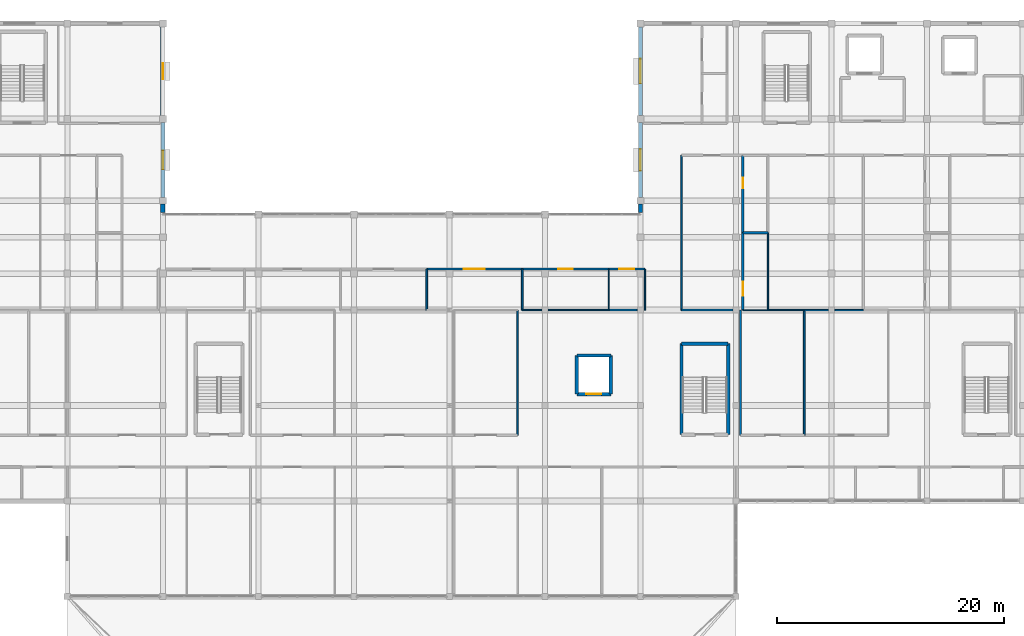
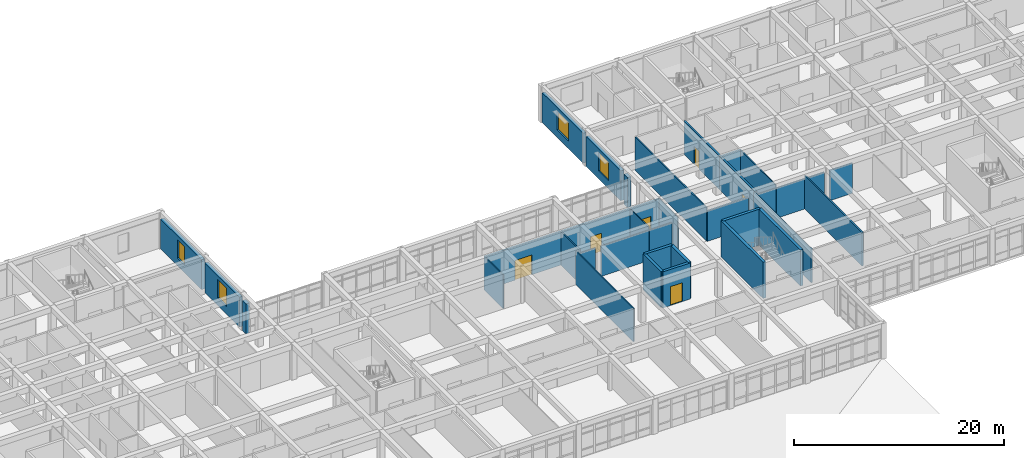
# One storey, part 52 of 77: 36 walls, 6 doors, 4 windows, 10 openings.
"""IFC4 building model written with IfcOpenShell, lengths in metres."""

from ifc_helpers import new_model, si_unit, direction, frame, frame_2d, origin, place, context, subcontext, project, spatial, rectangle, extrude, material, layer, layer_set, type_object, element, fill, save


model = new_model("IFC4")

# Units and contexts
model_context = context("Model", 3, precision=1e-05, world=origin(), true_north=direction((0.0, 1.0)))
body_context = subcontext(model_context, "Body", "Model", "MODEL_VIEW")
ifc_project = project(units=[si_unit("LENGTHUNIT", "METRE"), si_unit("AREAUNIT", "SQUARE_METRE"), si_unit("VOLUMEUNIT", "CUBIC_METRE"), si_unit("PLANEANGLEUNIT", "RADIAN"), si_unit("MASSUNIT", "GRAM", prefix="KILO")], contexts=[model_context])

# Site, building, storey
site_placement = place(None, origin())
site = spatial("IfcSite", under=ifc_project, at=site_placement, CompositionType="ELEMENT")
building_placement = place(site_placement, origin())
building = spatial("IfcBuilding", under=site, at=building_placement, Name="Varncliffe General Hospital", CompositionType="ELEMENT")
storey_placement = place(building_placement, frame((0.0, 0.0, 16.199951171875)))
storey = spatial("IfcBuildingStorey", under=building, at=storey_placement, Name="L03", CompositionType="ELEMENT", Elevation=16.199951171875)

# Wall, opening, window
ifc_material_1 = material(Name="Precast concrete C40/50 with insulated cream lime-cement stucco", Category="concrete")
ifc_layer_1 = layer(ifc_material_1, 0.3798828125)
ifc_layer_set_1 = layer_set([ifc_layer_1], Name="Precast concrete C40/50 with insulated cream lime-cement stucco")
wall_type_1 = type_object("IfcWallType", Name="Exterior Insulated Stucco Wall EW26 (380mm)", PredefinedType="SOLIDWALL", material=ifc_layer_set_1)
wall_1_placement = place(storey_placement, frame((67.199951171875, 124.501953125, 0.0), z_axis=(0.0, 0.0, 1.0), x_axis=(0.0, -1.0, 0.0)))
wall_1 = element("IfcWall", 1, at=wall_1_placement, inside=storey, type_object=wall_type_1, Name="L03 Exterior Stucco Wall EW26-244", PredefinedType="SOLIDWALL", context=body_context, shape_type="SweptSolid", body=[
    extrude(rectangle(XDim=7.803955078125, YDim=0.3798828125, at=frame_2d((3.90185546875, 0.0))), origin(), (0.0, 0.0, 1.0), 3.47998046875),
])
opening_1_placement = place(wall_1_placement, frame((3.201904296875, 0.0, 0.89990234375)))
opening_1 = element("IfcOpeningElement", 2, at=opening_1_placement, cuts=wall_1, Name="Opening WN11", PredefinedType="OPENING", context=body_context, shape_type="SweptSolid", body=[
    extrude(rectangle(XDim=1.39990234375, YDim=2.14990234375, at=frame_2d((0.699951171875, 1.074951171875))), frame((0.0, 0.199951171875, 0.0), z_axis=(0.0, -1.0, 0.0), x_axis=(1.0, 0.0, 0.0)), (0.0, 0.0, 1.0), 0.39990234375),
])
ifc_material_2 = material(Name="Triple low-E argon insulated vision glazing", Category="glass")
window_type_1 = type_object("IfcWindowType", Name="Triple-Glazed Hospital Window WN11 (1400x2150)", PartitioningType="SINGLE_PANEL", PredefinedType="WINDOW", material=ifc_material_2)
window_1_placement = place(opening_1_placement, origin())
window_1 = element("IfcWindow", 3, at=window_1_placement, inside=storey, type_object=window_type_1, Name="L03 Hospital Window WN11-166", OverallHeight=2.14990234375, OverallWidth=1.39990234375, PartitioningType="SINGLE_PANEL", PredefinedType="WINDOW", context=body_context, shape_type="SweptSolid", body=[
    extrude(rectangle(XDim=1.39990234375, YDim=2.14990234375, at=frame_2d((0.699951171875, 1.074951171875))), frame((0.0, 0.030029296875, 0.0), z_axis=(0.0, -1.0, 0.0), x_axis=(1.0, 0.0, 0.0)), (0.0, 0.0, 1.0), 0.06005859375),
])
fill(opening_1, window_1)

# Wall
wall_2_placement = place(storey_placement, frame((109.199951171875, 108.195068359375, 0.0), z_axis=(0.0, 0.0, 1.0), x_axis=(0.0, 1.0, 0.0)))
element("IfcWall", 4, at=wall_2_placement, inside=storey, type_object=wall_type_1, Name="L03 Exterior Stucco Wall EW26-247", PredefinedType="SOLIDWALL", context=body_context, shape_type="SweptSolid", body=[
    extrude(rectangle(XDim=0.70703125, YDim=0.3798828125, at=frame_2d((0.353515625, 0.0))), origin(), (0.0, 0.0, 1.0), 3.47998046875),
])

# Wall, opening, window
ifc_layer_2 = layer(ifc_material_1, 0.330078125)
ifc_layer_set_2 = layer_set([ifc_layer_2], Name="Precast concrete C40/50 with insulated cream lime-cement stucco")
wall_type_2 = type_object("IfcWallType", Name="Exterior Insulated Stucco Wall EW33 (330mm)", PredefinedType="SOLIDWALL", material=ifc_layer_set_2)
wall_3_placement = place(storey_placement, frame((109.199951171875, 116.697998046875, 0.0), z_axis=(0.0, 0.0, 1.0), x_axis=(0.0, 1.0, 0.0)))
wall_3 = element("IfcWall", 5, at=wall_3_placement, inside=storey, type_object=wall_type_2, Name="L03 Exterior Stucco Wall EW33-249", PredefinedType="SOLIDWALL", context=body_context, shape_type="SweptSolid", body=[
    extrude(rectangle(XDim=7.803955078125, YDim=0.330078125, at=frame_2d((3.90185546875, 0.0))), origin(), (0.0, 0.0, 1.0), 3.47998046875),
])
opening_2_placement = place(wall_3_placement, frame((2.826904296875, 0.0, 0.89990234375)))
opening_2 = element("IfcOpeningElement", 6, at=opening_2_placement, cuts=wall_3, Name="Opening WN57", PredefinedType="OPENING", context=body_context, shape_type="SweptSolid", body=[
    extrude(rectangle(XDim=2.14990234375, YDim=2.14990234375, at=frame_2d((1.074951171875, 1.074951171875))), frame((0.0, 0.175048828125, 0.0), z_axis=(0.0, -1.0, 0.0), x_axis=(1.0, 0.0, 0.0)), (0.0, 0.0, 1.0), 0.35009765625),
])
window_type_2 = type_object("IfcWindowType", Name="Triple-Glazed Hospital Window WN57 (2150x2150)", PartitioningType="DOUBLE_PANEL_VERTICAL", PredefinedType="WINDOW", material=ifc_material_2)
window_2_placement = place(opening_2_placement, origin())
window_2 = element("IfcWindow", 7, at=window_2_placement, inside=storey, type_object=window_type_2, Name="L03 Hospital Window WN57-169", OverallHeight=2.14990234375, OverallWidth=2.14990234375, PartitioningType="DOUBLE_PANEL_VERTICAL", PredefinedType="WINDOW", context=body_context, shape_type="SweptSolid", body=[
    extrude(rectangle(XDim=2.14990234375, YDim=2.14990234375, at=frame_2d((1.074951171875, 1.074951171875))), frame((0.0, 0.030029296875, 0.0), z_axis=(0.0, -1.0, 0.0), x_axis=(1.0, 0.0, 0.0)), (0.0, 0.0, 1.0), 0.06005859375),
])
fill(opening_2, window_2)

ifc_layer_3 = layer(ifc_material_1, 0.35009765625)
ifc_layer_set_3 = layer_set([ifc_layer_3], Name="Precast concrete C40/50 with insulated cream lime-cement stucco")
wall_type_3 = type_object("IfcWallType", Name="Exterior Insulated Stucco Wall EW37 (350mm)", PredefinedType="SOLIDWALL", material=ifc_layer_set_3)
wall_4_placement = place(storey_placement, frame((67.199951171875, 116.10205078125, 0.0), z_axis=(0.0, 0.0, 1.0), x_axis=(0.0, -1.0, 0.0)))
wall_4 = element("IfcWall", 8, at=wall_4_placement, inside=storey, type_object=wall_type_3, Name="L03 Exterior Stucco Wall EW37-245", PredefinedType="SOLIDWALL", context=body_context, shape_type="SweptSolid", body=[
    extrude(rectangle(XDim=6.60400390625, YDim=0.35009765625, at=frame_2d((3.302001953125, 0.0))), origin(), (0.0, 0.0, 1.0), 3.47998046875),
])
opening_3_placement = place(wall_4_placement, frame((2.47705078125, 0.0, 0.89990234375)))
opening_3 = element("IfcOpeningElement", 9, at=opening_3_placement, cuts=wall_4, Name="Opening WN42", PredefinedType="OPENING", context=body_context, shape_type="SweptSolid", body=[
    extrude(rectangle(XDim=1.64990234375, YDim=2.14990234375, at=frame_2d((0.824951171875, 1.074951171875))), frame((0.0, 0.18505859375, 0.0), z_axis=(0.0, -1.0, 0.0), x_axis=(1.0, 0.0, 0.0)), (0.0, 0.0, 1.0), 0.3701171875),
])
window_type_3 = type_object("IfcWindowType", Name="Triple-Glazed Hospital Window WN42 (1650x2150)", PartitioningType="DOUBLE_PANEL_VERTICAL", PredefinedType="WINDOW", material=ifc_material_2)
window_3_placement = place(opening_3_placement, origin())
window_3 = element("IfcWindow", 10, at=window_3_placement, inside=storey, type_object=window_type_3, Name="L03 Hospital Window WN42-167", OverallHeight=2.14990234375, OverallWidth=1.64990234375, PartitioningType="DOUBLE_PANEL_VERTICAL", PredefinedType="WINDOW", context=body_context, shape_type="SweptSolid", body=[
    extrude(rectangle(XDim=1.64990234375, YDim=2.14990234375, at=frame_2d((0.824951171875, 1.074951171875))), frame((0.0, 0.030029296875, 0.0), z_axis=(0.0, -1.0, 0.0), x_axis=(1.0, 0.0, 0.0)), (0.0, 0.0, 1.0), 0.06005859375),
])
fill(opening_3, window_3)

wall_5_placement = place(storey_placement, frame((109.199951171875, 109.498046875, 0.0), z_axis=(0.0, 0.0, 1.0), x_axis=(0.0, 1.0, 0.0)))
wall_5 = element("IfcWall", 11, at=wall_5_placement, inside=storey, type_object=wall_type_3, Name="L03 Exterior Stucco Wall EW37-248", PredefinedType="SOLIDWALL", context=body_context, shape_type="SweptSolid", body=[
    extrude(rectangle(XDim=6.60400390625, YDim=0.35009765625, at=frame_2d((3.302001953125, 0.0))), origin(), (0.0, 0.0, 1.0), 3.47998046875),
])
opening_4_placement = place(wall_5_placement, frame((2.35205078125, 0.0, 0.89990234375)))
opening_4 = element("IfcOpeningElement", 12, at=opening_4_placement, cuts=wall_5, Name="Opening WN15", PredefinedType="OPENING", context=body_context, shape_type="SweptSolid", body=[
    extrude(rectangle(XDim=1.89990234375, YDim=2.14990234375, at=frame_2d((0.949951171875, 1.074951171875))), frame((0.0, 0.18505859375, 0.0), z_axis=(0.0, -1.0, 0.0), x_axis=(1.0, 0.0, 0.0)), (0.0, 0.0, 1.0), 0.3701171875),
])
window_type_4 = type_object("IfcWindowType", Name="Triple-Glazed Hospital Window WN15 (1900x2150)", PartitioningType="DOUBLE_PANEL_VERTICAL", PredefinedType="WINDOW", material=ifc_material_2)
window_4_placement = place(opening_4_placement, origin())
window_4 = element("IfcWindow", 13, at=window_4_placement, inside=storey, type_object=window_type_4, Name="L03 Hospital Window WN15-168", OverallHeight=2.14990234375, OverallWidth=1.89990234375, PartitioningType="DOUBLE_PANEL_VERTICAL", PredefinedType="WINDOW", context=body_context, shape_type="SweptSolid", body=[
    extrude(rectangle(XDim=1.89990234375, YDim=2.14990234375, at=frame_2d((0.949951171875, 1.074951171875))), frame((0.0, 0.030029296875, 0.0), z_axis=(0.0, -1.0, 0.0), x_axis=(1.0, 0.0, 0.0)), (0.0, 0.0, 1.0), 0.06005859375),
])
fill(opening_4, window_4)

# Walls
ifc_layer_4 = layer(ifc_material_1, 0.39990234375)
ifc_layer_set_4 = layer_set([ifc_layer_4], Name="Precast concrete C40/50 with insulated cream lime-cement stucco")
wall_type_4 = type_object("IfcWallType", Name="Exterior Insulated Stucco Wall EW47 (400mm)", PredefinedType="SOLIDWALL", material=ifc_layer_set_4)
wall_6_placement = place(storey_placement, frame((67.199951171875, 108.902099609375, 0.0), z_axis=(0.0, 0.0, 1.0), x_axis=(0.0, -1.0, 0.0)))
element("IfcWall", 14, at=wall_6_placement, inside=storey, type_object=wall_type_4, Name="L03 Exterior Stucco Wall EW47-246", PredefinedType="SOLIDWALL", context=body_context, shape_type="SweptSolid", body=[
    extrude(rectangle(XDim=0.70703125, YDim=0.39990234375, at=frame_2d((0.353515625, 0.0))), origin(), (0.0, 0.0, 1.0), 3.47998046875),
])
ifc_material_3 = material(Name="Acoustic clinical gypsum stud partition assembly", Category="gypsum")
ifc_layer_5 = layer(ifc_material_3, 0.1298828125)
ifc_layer_set_5 = layer_set([ifc_layer_5], Name="Acoustic clinical gypsum stud partition assembly")
wall_type_5 = type_object("IfcWallType", Name="Interior Partitioning IW11 (130mm)", PredefinedType="PARTITIONING", material=ifc_layer_set_5)
wall_7_placement = place(storey_placement, frame((126.2900390625, 99.60009765625, 0.0), z_axis=(0.0, 0.0, 1.0), x_axis=(1.0, 0.0, 0.0)))
element("IfcWall", 15, at=wall_7_placement, inside=storey, type_object=wall_type_5, Name="L03 Interior Partition Wall IW11-1433", PredefinedType="PARTITIONING", context=body_context, shape_type="SweptSolid", body=[
    extrude(rectangle(XDim=2.510009765625, YDim=0.1298828125, at=frame_2d((1.2548828125, 0.0))), origin(), (0.0, 0.0, 1.0), 3.53515625),
])
wall_8_placement = place(storey_placement, frame((123.60009765625, 99.60009765625, 0.0), z_axis=(0.0, 0.0, 1.0), x_axis=(1.0, 0.0, 0.0)))
element("IfcWall", 16, at=wall_8_placement, inside=storey, type_object=wall_type_5, Name="L03 Interior Partition Wall IW11-1434", PredefinedType="PARTITIONING", context=body_context, shape_type="SweptSolid", body=[
    extrude(rectangle(XDim=2.10986328125, YDim=0.1298828125, at=frame_2d((1.054931640625, 0.0))), origin(), (0.0, 0.0, 1.0), 3.53515625),
])
wall_9_placement = place(storey_placement, frame((98.39990234375, 88.60009765625, 0.0), z_axis=(0.0, 0.0, 1.0), x_axis=(0.0, 1.0, 0.0)))
element("IfcWall", 17, at=wall_9_placement, inside=storey, type_object=wall_type_5, Name="L03 Interior Partition Wall IW11-1588", PredefinedType="PARTITIONING", context=body_context, shape_type="SweptSolid", body=[
    extrude(rectangle(XDim=11.0, YDim=0.1298828125, at=frame_2d((5.5, 0.0))), origin(), (0.0, 0.0, 1.0), 3.89013671875),
])
wall_10_placement = place(storey_placement, frame((112.800048828125, 99.60009765625, 0.0), z_axis=(0.0, 0.0, 1.0), x_axis=(0.0, 1.0, 0.0)))
element("IfcWall", 18, at=wall_10_placement, inside=storey, type_object=wall_type_5, Name="L03 Interior Partition Wall IW11-1593", PredefinedType="PARTITIONING", context=body_context, shape_type="SweptSolid", body=[
    extrude(rectangle(XDim=13.599853515625, YDim=0.1298828125, at=frame_2d((6.7998046875, 0.0))), origin(), (0.0, 0.0, 1.0), 3.89013671875),
])
ifc_layer_6 = layer(ifc_material_3, 0.169921875)
ifc_layer_set_6 = layer_set([ifc_layer_6], Name="Acoustic clinical gypsum stud partition assembly")
wall_type_6 = type_object("IfcWallType", Name="Interior Partitioning IW20 (170mm)", PredefinedType="PARTITIONING", material=ifc_layer_set_6)
wall_11_placement = place(storey_placement, frame((112.800048828125, 99.60009765625, 0.0), z_axis=(0.0, 0.0, 1.0), x_axis=(1.0, 0.0, 0.0)))
element("IfcWall", 19, at=wall_11_placement, inside=storey, type_object=wall_type_6, Name="L03 Interior Partition Wall IW20-1430", PredefinedType="PARTITIONING", context=body_context, shape_type="SweptSolid", body=[
    extrude(rectangle(XDim=4.510009765625, YDim=0.169921875, at=frame_2d((2.2548828125, 0.0))), origin(), (0.0, 0.0, 1.0), 3.53515625),
])
ifc_layer_7 = layer(ifc_material_3, 0.14990234375)
ifc_layer_set_7 = layer_set([ifc_layer_7], Name="Acoustic clinical gypsum stud partition assembly")
wall_type_7 = type_object("IfcWallType", Name="Interior Partitioning IW35 (150mm)", PredefinedType="PARTITIONING", material=ifc_layer_set_7)
wall_12_placement = place(storey_placement, frame((106.39990234375, 99.60009765625, 0.0), z_axis=(0.0, 0.0, 1.0), x_axis=(1.0, 0.0, 0.0)))
element("IfcWall", 20, at=wall_12_placement, inside=storey, type_object=wall_type_7, Name="L03 Interior Partition Wall IW35-1429", PredefinedType="PARTITIONING", context=body_context, shape_type="SweptSolid", body=[
    extrude(rectangle(XDim=2.510009765625, YDim=0.14990234375, at=frame_2d((1.2548828125, 0.0))), origin(), (0.0, 0.0, 1.0), 3.53515625),
])
for number, where, z_axis, x_axis, name in (
    (21, (90.39990234375, 99.60009765625, 0.0), (0.0, 0.0, 1.0), (0.0, 1.0, 0.0), "L03 Interior Partition Wall IW35-1584"),
    (22, (98.800048828125, 99.60009765625, 0.0), (0.0, 0.0, 1.0), (0.0, 1.0, 0.0), "L03 Interior Partition Wall IW35-1589"),
):
    element("IfcWall", number, at=place(storey_placement, frame(where, z_axis=z_axis, x_axis=x_axis)), inside=storey, type_object=wall_type_7, Name=name, PredefinedType="PARTITIONING", context=body_context, shape_type="SweptSolid", body=[
        extrude(rectangle(XDim=3.599853515625, YDim=0.14990234375, at=frame_2d((1.7998046875, 0.0))), origin(), (0.0, 0.0, 1.0), 3.89013671875),
    ])
for number, where, z_axis, x_axis, name in (
    (23, (118.0, 88.60009765625, 0.0), (0.0, 0.0, 1.0), (0.0, 1.0, 0.0), "L03 Interior Partition Wall IW35-1599"),
    (24, (123.60009765625, 88.60009765625, 0.0), (0.0, 0.0, 1.0), (0.0, 1.0, 0.0), "L03 Interior Partition Wall IW35-1604"),
):
    element("IfcWall", number, at=place(storey_placement, frame(where, z_axis=z_axis, x_axis=x_axis)), inside=storey, type_object=wall_type_7, Name=name, PredefinedType="PARTITIONING", context=body_context, shape_type="SweptSolid", body=[
        extrude(rectangle(XDim=11.0, YDim=0.14990234375, at=frame_2d((5.5, 0.0))), origin(), (0.0, 0.0, 1.0), 3.89013671875),
    ])
ifc_layer_8 = layer(ifc_material_3, 0.090087890625)
ifc_layer_set_8 = layer_set([ifc_layer_8], Name="Acoustic clinical gypsum stud partition assembly")
wall_type_8 = type_object("IfcWallType", Name="Interior Partitioning IW42 (90mm)", PredefinedType="PARTITIONING", material=ifc_layer_set_8)
wall_13_placement = place(storey_placement, frame((118.199951171875, 99.60009765625, 0.0), z_axis=(0.0, 0.0, 1.0), x_axis=(1.0, 0.0, 0.0)))
element("IfcWall", 25, at=wall_13_placement, inside=storey, type_object=wall_type_8, Name="L03 Interior Partition Wall IW42-1431", PredefinedType="PARTITIONING", context=body_context, shape_type="SweptSolid", body=[
    extrude(rectangle(XDim=2.199951171875, YDim=0.090087890625, at=frame_2d((1.10009765625, 0.0))), origin(), (0.0, 0.0, 1.0), 3.53515625),
])
wall_14_placement = place(storey_placement, frame((106.39990234375, 99.60009765625, 0.0), z_axis=(0.0, 0.0, 1.0), x_axis=(0.0, 1.0, 0.0)))
element("IfcWall", 26, at=wall_14_placement, inside=storey, type_object=wall_type_8, Name="L03 Interior Partition Wall IW42-1591", PredefinedType="PARTITIONING", context=body_context, shape_type="SweptSolid", body=[
    extrude(rectangle(XDim=3.599853515625, YDim=0.090087890625, at=frame_2d((1.7998046875, 0.0))), origin(), (0.0, 0.0, 1.0), 3.89013671875),
])
ifc_layer_9 = layer(ifc_material_3, 0.110107421875)
ifc_layer_set_9 = layer_set([ifc_layer_9], Name="Acoustic clinical gypsum stud partition assembly")
wall_type_9 = type_object("IfcWallType", Name="Interior Partitioning IW65 (110mm)", PredefinedType="PARTITIONING", material=ifc_layer_set_9)
wall_15_placement = place(storey_placement, frame((101.090087890625, 99.60009765625, 0.0), z_axis=(0.0, 0.0, 1.0), x_axis=(1.0, 0.0, 0.0)))
element("IfcWall", 27, at=wall_15_placement, inside=storey, type_object=wall_type_9, Name="L03 Interior Partition Wall IW65-1427", PredefinedType="PARTITIONING", context=body_context, shape_type="SweptSolid", body=[
    extrude(rectangle(XDim=5.309814453125, YDim=0.110107421875, at=frame_2d((2.65478515625, 0.0))), origin(), (0.0, 0.0, 1.0), 3.53515625),
])
wall_16_placement = place(storey_placement, frame((98.800048828125, 99.60009765625, 0.0), z_axis=(0.0, 0.0, 1.0), x_axis=(1.0, 0.0, 0.0)))
element("IfcWall", 28, at=wall_16_placement, inside=storey, type_object=wall_type_9, Name="L03 Interior Partition Wall IW65-1428", PredefinedType="PARTITIONING", context=body_context, shape_type="SweptSolid", body=[
    extrude(rectangle(XDim=1.7099609375, YDim=0.110107421875, at=frame_2d((0.85498046875, 0.0))), origin(), (0.0, 0.0, 1.0), 3.53515625),
])
wall_17_placement = place(storey_placement, frame((120.39990234375, 99.60009765625, 0.0), z_axis=(0.0, 0.0, 1.0), x_axis=(1.0, 0.0, 0.0)))
element("IfcWall", 29, at=wall_17_placement, inside=storey, type_object=wall_type_9, Name="L03 Interior Partition Wall IW65-1432", PredefinedType="PARTITIONING", context=body_context, shape_type="SweptSolid", body=[
    extrude(rectangle(XDim=3.2001953125, YDim=0.110107421875, at=frame_2d((1.60009765625, 0.0))), origin(), (0.0, 0.0, 1.0), 3.53515625),
])
wall_18_placement = place(storey_placement, frame((109.60009765625, 99.60009765625, 0.0), z_axis=(0.0, 0.0, 1.0), x_axis=(0.0, 1.0, 0.0)))
element("IfcWall", 30, at=wall_18_placement, inside=storey, type_object=wall_type_9, Name="L03 Interior Partition Wall IW65-1592", PredefinedType="PARTITIONING", context=body_context, shape_type="SweptSolid", body=[
    extrude(rectangle(XDim=3.599853515625, YDim=0.110107421875, at=frame_2d((1.7998046875, 0.0))), origin(), (0.0, 0.0, 1.0), 3.89013671875),
])
wall_19_placement = place(storey_placement, frame((120.39990234375, 99.60009765625, 0.0), z_axis=(0.0, 0.0, 1.0), x_axis=(0.0, 1.0, 0.0)))
element("IfcWall", 31, at=wall_19_placement, inside=storey, type_object=wall_type_9, Name="L03 Interior Partition Wall IW65-1602", PredefinedType="PARTITIONING", context=body_context, shape_type="SweptSolid", body=[
    extrude(rectangle(XDim=6.7998046875, YDim=0.110107421875, at=frame_2d((3.39990234375, 0.0))), origin(), (0.0, 0.0, 1.0), 3.89013671875),
])

# Wall, opening, door
ifc_material_4 = material(Name="Fire-rated gypsum and mineral-wool partition assembly", Category="gypsum")
ifc_layer_10 = layer(ifc_material_4, 0.199951171875)
ifc_layer_set_10 = layer_set([ifc_layer_10], Name="Fire-rated gypsum and mineral-wool partition assembly")
wall_type_10 = type_object("IfcWallType", Name="Interior Partitioning PW63 (200mm)", PredefinedType="PARTITIONING", material=ifc_layer_set_10)
wall_20_placement = place(storey_placement, frame((90.39990234375, 103.199951171875, 0.0), z_axis=(0.0, 0.0, 1.0), x_axis=(1.0, 0.0, 0.0)))
wall_20 = element("IfcWall", 32, at=wall_20_placement, inside=storey, type_object=wall_type_10, Name="L03 Interior Partition Wall PW63-1449", PredefinedType="PARTITIONING", context=body_context, shape_type="SweptSolid", body=[
    extrude(rectangle(XDim=8.400146484375, YDim=0.199951171875, at=frame_2d((4.2001953125, 0.0))), origin(), (0.0, 0.0, 1.0), 3.89013671875),
])
opening_5_placement = place(wall_20_placement, frame((3.27490234375, 0.0, 0.0)))
opening_5 = element("IfcOpeningElement", 33, at=opening_5_placement, cuts=wall_20, Name="Opening DC38", PredefinedType="OPENING", context=body_context, shape_type="SweptSolid", body=[
    extrude(rectangle(XDim=1.85009765625, YDim=2.300048828125, at=frame_2d((0.925048828125, 1.14990234375))), frame((0.0, 0.10986328125, 0.0), z_axis=(0.0, -1.0, 0.0), x_axis=(1.0, 0.0, 0.0)), (0.0, 0.0, 1.0), 0.219970703125),
])
ifc_material_5 = material(Name="Fire-rated hospital steel-frame vision-panel door", Category="steel")
door_type_1 = type_object("IfcDoorType", Name="Interior Hospital Door DC38 (1850x2300)", OperationType="NOTDEFINED", PredefinedType="DOOR", material=ifc_material_5)
door_1_placement = place(opening_5_placement, frame((1.85009765625, 0.0, 0.0), z_axis=(0.0, 0.0, 1.0), x_axis=(-1.0, 0.0, 0.0)))
door_1 = element("IfcDoor", 34, at=door_1_placement, inside=storey, type_object=door_type_1, Name="L03 Inpatient Physiotherapy Gym Bay 150 Door", OperationType="SINGLE_SWING_RIGHT", OverallHeight=2.300048828125, OverallWidth=1.85009765625, PredefinedType="DOOR", context=body_context, shape_type="SweptSolid", body=[
    extrude(rectangle(XDim=1.85009765625, YDim=2.300048828125, at=frame_2d((0.925048828125, 1.14990234375))), frame((0.0, 0.02490234375, 0.0), z_axis=(0.0, -1.0, 0.0), x_axis=(1.0, 0.0, 0.0)), (0.0, 0.0, 1.0), 0.050048828125),
])
fill(opening_5, door_1)

wall_21_placement = place(storey_placement, frame((98.800048828125, 103.199951171875, 0.0), z_axis=(0.0, 0.0, 1.0), x_axis=(1.0, 0.0, 0.0)))
wall_21 = element("IfcWall", 35, at=wall_21_placement, inside=storey, type_object=wall_type_10, Name="L03 Interior Partition Wall PW63-1450", PredefinedType="PARTITIONING", context=body_context, shape_type="SweptSolid", body=[
    extrude(rectangle(XDim=7.599853515625, YDim=0.199951171875, at=frame_2d((3.7998046875, 0.0))), origin(), (0.0, 0.0, 1.0), 3.89013671875),
])
opening_6_placement = place(wall_21_placement, frame((3.175048828125, 0.0, 0.0)))
opening_6 = element("IfcOpeningElement", 36, at=opening_6_placement, cuts=wall_21, Name="Opening DC44", PredefinedType="OPENING", context=body_context, shape_type="SweptSolid", body=[
    extrude(rectangle(XDim=1.25, YDim=2.14990234375, at=frame_2d((0.625, 1.074951171875))), frame((0.0, 0.10986328125, 0.0), z_axis=(0.0, -1.0, 0.0), x_axis=(1.0, 0.0, 0.0)), (0.0, 0.0, 1.0), 0.219970703125),
])
door_type_2 = type_object("IfcDoorType", Name="Interior Hospital Door DC44 (1250x2150)", OperationType="NOTDEFINED", PredefinedType="DOOR", material=ifc_material_5)
door_2_placement = place(opening_6_placement, frame((1.25, 0.0, 0.0), z_axis=(0.0, 0.0, 1.0), x_axis=(-1.0, 0.0, 0.0)))
door_2 = element("IfcDoor", 37, at=door_2_placement, inside=storey, type_object=door_type_2, Name="L03 Orthopaedic Inpatient Ward Suite 151 Door", OperationType="SINGLE_SWING_LEFT", OverallHeight=2.14990234375, OverallWidth=1.25, PredefinedType="DOOR", context=body_context, shape_type="SweptSolid", body=[
    extrude(rectangle(XDim=1.25, YDim=2.14990234375, at=frame_2d((0.625, 1.074951171875))), frame((0.0, 0.02490234375, 0.0), z_axis=(0.0, -1.0, 0.0), x_axis=(1.0, 0.0, 0.0)), (0.0, 0.0, 1.0), 0.050048828125),
])
fill(opening_6, door_2)

wall_22_placement = place(storey_placement, frame((106.39990234375, 103.199951171875, 0.0), z_axis=(0.0, 0.0, 1.0), x_axis=(1.0, 0.0, 0.0)))
wall_22 = element("IfcWall", 38, at=wall_22_placement, inside=storey, type_object=wall_type_10, Name="L03 Interior Partition Wall PW63-1451", PredefinedType="PARTITIONING", context=body_context, shape_type="SweptSolid", body=[
    extrude(rectangle(XDim=3.2001953125, YDim=0.199951171875, at=frame_2d((1.60009765625, 0.0))), origin(), (0.0, 0.0, 1.0), 3.89013671875),
])
opening_7_placement = place(wall_22_placement, frame((0.949951171875, 0.0, 0.0)))
opening_7 = element("IfcOpeningElement", 39, at=opening_7_placement, cuts=wall_22, Name="Opening DC88", PredefinedType="OPENING", context=body_context, shape_type="SweptSolid", body=[
    extrude(rectangle(XDim=1.300048828125, YDim=2.199951171875, at=frame_2d((0.64990234375, 1.10009765625))), frame((0.0, 0.10986328125, 0.0), z_axis=(0.0, -1.0, 0.0), x_axis=(1.0, 0.0, 0.0)), (0.0, 0.0, 1.0), 0.219970703125),
])
door_type_3 = type_object("IfcDoorType", Name="Interior Hospital Door DC88 (1300x2200)", OperationType="NOTDEFINED", PredefinedType="DOOR", material=ifc_material_5)
door_3_placement = place(opening_7_placement, frame((1.300048828125, 0.0, 0.0), z_axis=(0.0, 0.0, 1.0), x_axis=(-1.0, 0.0, 0.0)))
door_3 = element("IfcDoor", 40, at=door_3_placement, inside=storey, type_object=door_type_3, Name="L03 Inpatient Physiotherapy Gym Bay 152 Door", OperationType="SINGLE_SWING_RIGHT", OverallHeight=2.199951171875, OverallWidth=1.300048828125, PredefinedType="DOOR", context=body_context, shape_type="SweptSolid", body=[
    extrude(rectangle(XDim=1.300048828125, YDim=2.199951171875, at=frame_2d((0.64990234375, 1.10009765625))), frame((0.0, 0.02490234375, 0.0), z_axis=(0.0, -1.0, 0.0), x_axis=(1.0, 0.0, 0.0)), (0.0, 0.0, 1.0), 0.050048828125),
])
fill(opening_7, door_3)

wall_23_placement = place(storey_placement, frame((118.199951171875, 99.60009765625, 0.0), z_axis=(0.0, 0.0, 1.0), x_axis=(0.0, 1.0, 0.0)))
wall_23 = element("IfcWall", 41, at=wall_23_placement, inside=storey, type_object=wall_type_10, Name="L03 Interior Partition Wall PW63-1600", PredefinedType="PARTITIONING", context=body_context, shape_type="SweptSolid", body=[
    extrude(rectangle(XDim=6.7998046875, YDim=0.199951171875, at=frame_2d((3.39990234375, 0.0))), origin(), (0.0, 0.0, 1.0), 3.89013671875),
])
opening_8_placement = place(wall_23_placement, frame((1.25390625, 0.0, 0.0)))
opening_8 = element("IfcOpeningElement", 42, at=opening_8_placement, cuts=wall_23, Name="Opening DC44", PredefinedType="OPENING", context=body_context, shape_type="SweptSolid", body=[
    extrude(rectangle(XDim=1.25, YDim=2.14990234375, at=frame_2d((0.625, 1.074951171875))), frame((0.0, 0.10986328125, 0.0), z_axis=(0.0, -1.0, 0.0), x_axis=(1.0, 0.0, 0.0)), (0.0, 0.0, 1.0), 0.219970703125),
])
door_4_placement = place(opening_8_placement, frame((1.25, 0.0, 0.0), z_axis=(0.0, 0.0, 1.0), x_axis=(-1.0, 0.0, 0.0)))
door_4 = element("IfcDoor", 43, at=door_4_placement, inside=storey, type_object=door_type_2, Name="L03 Patient Medication and Hygiene Bay 117 Door", OperationType="SINGLE_SWING_LEFT", OverallHeight=2.14990234375, OverallWidth=1.25, PredefinedType="DOOR", context=body_context, shape_type="SweptSolid", body=[
    extrude(rectangle(XDim=1.25, YDim=2.14990234375, at=frame_2d((0.625, 1.074951171875))), frame((0.0, 0.02490234375, 0.0), z_axis=(0.0, -1.0, 0.0), x_axis=(1.0, 0.0, 0.0)), (0.0, 0.0, 1.0), 0.050048828125),
])
fill(opening_8, door_4)

wall_24_placement = place(storey_placement, frame((118.199951171875, 106.39990234375, 0.0), z_axis=(0.0, 0.0, 1.0), x_axis=(0.0, 1.0, 0.0)))
wall_24 = element("IfcWall", 44, at=wall_24_placement, inside=storey, type_object=wall_type_10, Name="L03 Interior Partition Wall PW63-1601", PredefinedType="PARTITIONING", context=body_context, shape_type="SweptSolid", body=[
    extrude(rectangle(XDim=6.800048828125, YDim=0.199951171875, at=frame_2d((3.39990234375, 0.0))), origin(), (0.0, 0.0, 1.0), 3.89013671875),
])
opening_9_placement = place(wall_24_placement, frame((3.912109375, 0.0, 0.0)))
opening_9 = element("IfcOpeningElement", 45, at=opening_9_placement, cuts=wall_24, Name="Opening DI70", PredefinedType="OPENING", context=body_context, shape_type="SweptSolid", body=[
    extrude(rectangle(XDim=0.919921875, YDim=2.10009765625, at=frame_2d((0.4599609375, 1.050048828125))), frame((0.0, 0.10986328125, 0.0), z_axis=(0.0, -1.0, 0.0), x_axis=(1.0, 0.0, 0.0)), (0.0, 0.0, 1.0), 0.219970703125),
])
ifc_material_6 = material(Name="Solid-core antimicrobial hospital oak veneer door", Category="wood")
door_type_4 = type_object("IfcDoorType", Name="Interior Hospital Door DI70 (920x2100)", OperationType="NOTDEFINED", PredefinedType="DOOR", material=ifc_material_6)
door_5_placement = place(opening_9_placement, frame((0.919921875, 0.0, 0.0), z_axis=(0.0, 0.0, 1.0), x_axis=(-1.0, 0.0, 0.0)))
door_5 = element("IfcDoor", 46, at=door_5_placement, inside=storey, type_object=door_type_4, Name="L03 En-Suite Bathroom 116 Door", OperationType="SINGLE_SWING_RIGHT", OverallHeight=2.10009765625, OverallWidth=0.919921875, PredefinedType="DOOR", context=body_context, shape_type="SweptSolid", body=[
    extrude(rectangle(XDim=0.919921875, YDim=2.10009765625, at=frame_2d((0.4599609375, 1.050048828125))), frame((0.0, 0.02490234375, 0.0), z_axis=(0.0, -1.0, 0.0), x_axis=(1.0, 0.0, 0.0)), (0.0, 0.0, 1.0), 0.050048828125),
])
fill(opening_9, door_5)

# Walls
ifc_material_7 = material(Name="Moisture-resistant plumbing chase wall assembly", Category="gypsum")
ifc_layer_11 = layer(ifc_material_7, 0.18994140625)
ifc_layer_set_11 = layer_set([ifc_layer_11], Name="Moisture-resistant plumbing chase wall assembly")
wall_type_11 = type_object("IfcWallType", Name="Interior Plumbingwall MW17 (190mm)", PredefinedType="PLUMBINGWALL", material=ifc_layer_set_11)
wall_25_placement = place(storey_placement, frame((118.199951171875, 106.39990234375, 0.0), z_axis=(0.0, 0.0, 1.0), x_axis=(1.0, 0.0, 0.0)))
element("IfcWall", 47, at=wall_25_placement, inside=storey, type_object=wall_type_11, Name="L03 Interior Plumbing Wall MW17-1456", PredefinedType="PLUMBINGWALL", context=body_context, shape_type="SweptSolid", body=[
    extrude(rectangle(XDim=2.199951171875, YDim=0.18994140625, at=frame_2d((1.10009765625, 0.0))), origin(), (0.0, 0.0, 1.0), 3.89013671875),
])
ifc_material_8 = material(Name="Concrete C40/50 (CSA A23.1 40 MPa)", Category="concrete")
ifc_layer_12 = layer(ifc_material_8, 0.300048828125)
ifc_layer_set_12 = layer_set([ifc_layer_12], Name="Concrete C40/50 (CSA A23.1 40 MPa)")
wall_type_12 = type_object("IfcWallType", Name="Reinforced Concrete Core Shear Wall CW12 (300mm)", PredefinedType="SHEAR", material=ifc_layer_set_12)
wall_26_placement = place(storey_placement, frame((116.89990234375, 88.64990234375, 0.0), z_axis=(0.0, 0.0, 1.0), x_axis=(0.0, 1.0, 0.0)))
element("IfcWall", 48, at=wall_26_placement, inside=storey, type_object=wall_type_12, Name="L03 ST06 Core Shear Wall L", PredefinedType="SHEAR", context=body_context, shape_type="SweptSolid", body=[
    extrude(rectangle(XDim=8.0, YDim=0.300048828125, at=frame_2d((4.0, 0.0))), origin(), (0.0, 0.0, 1.0), 4.199951171875),
])
wall_27_placement = place(storey_placement, frame((116.89990234375, 96.64990234375, 0.0), z_axis=(0.0, 0.0, 1.0), x_axis=(-1.0, 0.0, 0.0)))
element("IfcWall", 49, at=wall_27_placement, inside=storey, type_object=wall_type_12, Name="L03 ST06 Core Shear Wall F", PredefinedType="SHEAR", context=body_context, shape_type="SweptSolid", body=[
    extrude(rectangle(XDim=4.099853515625, YDim=0.300048828125, at=frame_2d((2.0498046875, 0.0))), origin(), (0.0, 0.0, 1.0), 4.199951171875),
])
wall_28_placement = place(storey_placement, frame((112.800048828125, 96.64990234375, 0.0), z_axis=(0.0, 0.0, 1.0), x_axis=(0.0, -1.0, 0.0)))
element("IfcWall", 50, at=wall_28_placement, inside=storey, type_object=wall_type_12, Name="L03 ST06 Core Shear Wall R", PredefinedType="SHEAR", context=body_context, shape_type="SweptSolid", body=[
    extrude(rectangle(XDim=8.0, YDim=0.300048828125, at=frame_2d((4.0, 0.0))), origin(), (0.0, 0.0, 1.0), 4.199951171875),
])

# Wall, opening, door
wall_29_placement = place(storey_placement, frame((103.60009765625, 92.199951171875, 0.0), z_axis=(0.0, 0.0, 1.0), x_axis=(1.0, 0.0, 0.0)))
wall_29 = element("IfcWall", 51, at=wall_29_placement, inside=storey, type_object=wall_type_12, Name="L03 LF07 Elevator Shaft Wall South", PredefinedType="SHEAR", context=body_context, shape_type="SweptSolid", body=[
    extrude(rectangle(XDim=3.0, YDim=0.300048828125, at=frame_2d((1.5, 0.0))), origin(), (0.0, 0.0, 1.0), 4.199951171875),
])
opening_10_placement = place(wall_29_placement, frame((0.85009765625, 0.0, 0.0)))
opening_10 = element("IfcOpeningElement", 52, at=opening_10_placement, cuts=wall_29, Name="Opening LD02", PredefinedType="OPENING", context=body_context, shape_type="SweptSolid", body=[
    extrude(rectangle(XDim=1.300048828125, YDim=2.199951171875, at=frame_2d((0.64990234375, 1.10009765625))), frame((0.0, 0.16015625, 0.0), z_axis=(0.0, -1.0, 0.0), x_axis=(1.0, 0.0, 0.0)), (0.0, 0.0, 1.0), 0.320068359375),
])
ifc_material_9 = material(Name="Brushed stainless-steel sliding elevator landing door", Category="steel")
door_type_5 = type_object("IfcDoorType", Name="Lift Landing Door LD02 (1300x2200)", OperationType="DOUBLE_DOOR_SLIDING", PredefinedType="DOOR", material=ifc_material_9)
door_6_placement = place(opening_10_placement, origin())
door_6 = element("IfcDoor", 53, at=door_6_placement, inside=storey, type_object=door_type_5, Name="Lift Landing Door LF07 L03", OperationType="DOUBLE_DOOR_SLIDING", OverallHeight=2.199951171875, OverallWidth=1.300048828125, PredefinedType="DOOR", context=body_context, shape_type="SweptSolid", body=[
    extrude(rectangle(XDim=1.300048828125, YDim=2.199951171875, at=frame_2d((0.64990234375, 1.10009765625))), frame((0.0, 0.02490234375, 0.0), z_axis=(0.0, -1.0, 0.0), x_axis=(1.0, 0.0, 0.0)), (0.0, 0.0, 1.0), 0.050048828125),
])
fill(opening_10, door_6)

# Walls
wall_30_placement = place(storey_placement, frame((106.60009765625, 92.199951171875, 0.0), z_axis=(0.0, 0.0, 1.0), x_axis=(0.0, 1.0, 0.0)))
element("IfcWall", 54, at=wall_30_placement, inside=storey, type_object=wall_type_12, Name="L03 LF07 Elevator Shaft Wall East", PredefinedType="SHEAR", context=body_context, shape_type="SweptSolid", body=[
    extrude(rectangle(XDim=3.400146484375, YDim=0.300048828125, at=frame_2d((1.7001953125, 0.0))), origin(), (0.0, 0.0, 1.0), 4.199951171875),
])
wall_31_placement = place(storey_placement, frame((106.60009765625, 95.60009765625, 0.0), z_axis=(0.0, 0.0, 1.0), x_axis=(-1.0, 0.0, 0.0)))
element("IfcWall", 55, at=wall_31_placement, inside=storey, type_object=wall_type_12, Name="L03 LF07 Elevator Shaft Wall North", PredefinedType="SHEAR", context=body_context, shape_type="SweptSolid", body=[
    extrude(rectangle(XDim=3.0, YDim=0.300048828125, at=frame_2d((1.5, 0.0))), origin(), (0.0, 0.0, 1.0), 4.199951171875),
])
wall_32_placement = place(storey_placement, frame((103.60009765625, 95.60009765625, 0.0), z_axis=(0.0, 0.0, 1.0), x_axis=(0.0, -1.0, 0.0)))
element("IfcWall", 56, at=wall_32_placement, inside=storey, type_object=wall_type_12, Name="L03 LF07 Elevator Shaft Wall West", PredefinedType="SHEAR", context=body_context, shape_type="SweptSolid", body=[
    extrude(rectangle(XDim=3.400146484375, YDim=0.300048828125, at=frame_2d((1.7001953125, 0.0))), origin(), (0.0, 0.0, 1.0), 4.199951171875),
])

save(model, "model.ifc")
